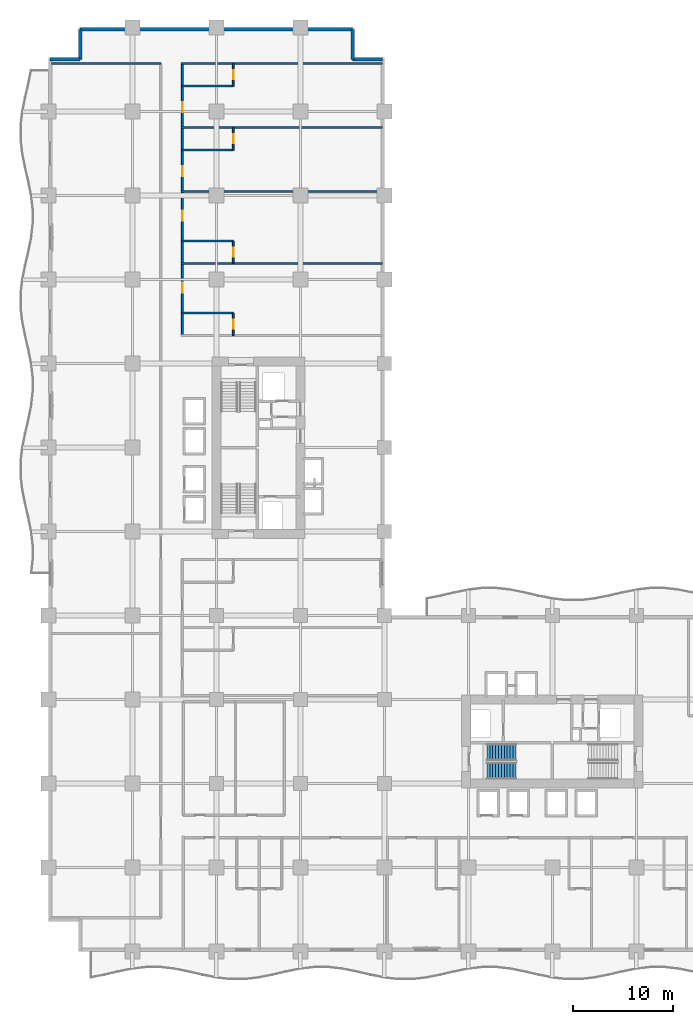
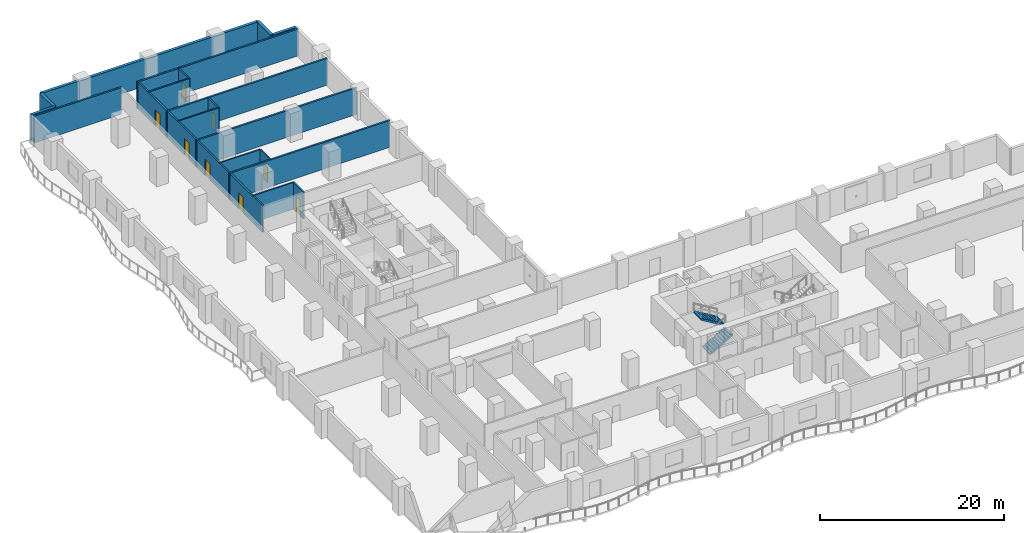
# One storey, part 12 of 20: 19 walls, 8 doors, 2 stair flights, 8 openings, 1 element without a shape of its own.
"""IFC4 building model written with IfcOpenShell, lengths in metres."""

from ifc_helpers import new_model, si_unit, direction, frame, frame_2d, origin, place, context, subcontext, project, spatial, polyline, rectangle, outline, extrude, material, layer, layer_set, type_object, element, fill, aggregate, save


model = new_model("IFC4")

# Units and contexts
model_context = context("Model", 3, precision=1e-05, world=origin(), true_north=direction((0.0, 1.0)))
body_context = subcontext(model_context, "Body", "Model", "MODEL_VIEW")
ifc_project = project(units=[si_unit("LENGTHUNIT", "METRE"), si_unit("AREAUNIT", "SQUARE_METRE"), si_unit("VOLUMEUNIT", "CUBIC_METRE"), si_unit("PLANEANGLEUNIT", "RADIAN"), si_unit("MASSUNIT", "GRAM", prefix="KILO")], contexts=[model_context])

# Site, building, storey
site_placement = place(None, origin())
site = spatial("IfcSite", under=ifc_project, at=site_placement, CompositionType="ELEMENT")
building_placement = place(site_placement, origin())
building = spatial("IfcBuilding", under=site, at=building_placement, Name="Koriwani Terraces Tower", CompositionType="ELEMENT")
storey_placement = place(building_placement, frame((0.0, 0.0, 58.60009765625)))
storey = spatial("IfcBuildingStorey", under=building, at=storey_placement, Name="L13", CompositionType="ELEMENT", Elevation=58.60009765625)

# Wall, openings, doors
ifc_material_1 = material(Name="Autoclaved Cellular Concrete Blockwork", Category="masonry")
ifc_layer_1 = layer(ifc_material_1, 0.199951171875, Name="Autoclaved Cellular Concrete Blockwork")
ifc_layer_set_1 = layer_set([ifc_layer_1], Name="Autoclaved Cellular Concrete Blockwork")
wall_type_1 = type_object("IfcWallType", Name="WALL_CORRIDOR_200", PredefinedType="PARTITIONING", material=ifc_layer_set_1)
wall_1_placement = place(storey_placement, frame((13.39990234375, 61.60009765625, 0.0), z_axis=(0.0, 0.0, 1.0), x_axis=(0.0, 1.0, 0.0)))
wall_1 = element("IfcWall", 1, at=wall_1_placement, inside=storey, type_object=wall_type_1, Name="L13 Interior Wall WCOR-L13-NE-0", PredefinedType="PARTITIONING", context=body_context, shape_type="SweptSolid", body=[
    extrude(rectangle(XDim=27.199951171875, YDim=0.199951171875, at=frame_2d((13.60009765625, 0.0))), origin(), (0.0, 0.0, 1.0), 3.5498046875),
])
opening_1_placement = place(wall_1_placement, frame((4.264892578125, 0.0, 0.0)))
opening_1 = element("IfcOpeningElement", 2, at=opening_1_placement, cuts=wall_1, Name="Opening D-05", PredefinedType="OPENING", context=body_context, shape_type="SweptSolid", body=[
    extrude(rectangle(XDim=1.0, YDim=2.14990234375, at=frame_2d((0.5, 1.074951171875))), frame((0.0, 0.10986328125, 0.0), z_axis=(0.0, -1.0, 0.0), x_axis=(1.0, 0.0, 0.0)), (0.0, 0.0, 1.0), 0.219970703125),
])
opening_2_placement = place(wall_1_placement, frame((11.465087890625, 0.0, 0.0)))
opening_2 = element("IfcOpeningElement", 3, at=opening_2_placement, cuts=wall_1, Name="Opening D-05", PredefinedType="OPENING", context=body_context, shape_type="SweptSolid", body=[
    extrude(rectangle(XDim=1.0, YDim=2.14990234375, at=frame_2d((0.5, 1.074951171875))), frame((0.0, 0.10986328125, 0.0), z_axis=(0.0, -1.0, 0.0), x_axis=(1.0, 0.0, 0.0)), (0.0, 0.0, 1.0), 0.219970703125),
])
opening_3_placement = place(wall_1_placement, frame((15.93505859375, 0.0, 0.0)))
opening_3 = element("IfcOpeningElement", 4, at=opening_3_placement, cuts=wall_1, Name="Opening D-05", PredefinedType="OPENING", context=body_context, shape_type="SweptSolid", body=[
    extrude(rectangle(XDim=1.0, YDim=2.14990234375, at=frame_2d((0.5, 1.074951171875))), frame((0.0, 0.10986328125, 0.0), z_axis=(0.0, -1.0, 0.0), x_axis=(1.0, 0.0, 0.0)), (0.0, 0.0, 1.0), 0.219970703125),
])
opening_4_placement = place(wall_1_placement, frame((22.3349609375, 0.0, 0.0)))
opening_4 = element("IfcOpeningElement", 5, at=opening_4_placement, cuts=wall_1, Name="Opening D-05", PredefinedType="OPENING", context=body_context, shape_type="SweptSolid", body=[
    extrude(rectangle(XDim=1.0, YDim=2.14990234375, at=frame_2d((0.5, 1.074951171875))), frame((0.0, 0.10986328125, 0.0), z_axis=(0.0, -1.0, 0.0), x_axis=(1.0, 0.0, 0.0)), (0.0, 0.0, 1.0), 0.219970703125),
])
ifc_material_2 = material(Name="Architectural Oak Fire Door", Category="wood")
door_type_1 = type_object("IfcDoorType", Name="DOOR_SUITE_ENTRY_1000X2150", OperationType="NOTDEFINED", PredefinedType="DOOR", material=ifc_material_2)
door_1_placement = place(opening_1_placement, origin())
door_1 = element("IfcDoor", 6, at=door_1_placement, inside=storey, type_object=door_type_1, Name="Luxury Hotel Suite 13NE1 Entrance Door", OperationType="SINGLE_SWING_LEFT", OverallHeight=2.14990234375, OverallWidth=1.0, PredefinedType="DOOR", context=body_context, shape_type="SweptSolid", body=[
    extrude(rectangle(XDim=1.0, YDim=2.14990234375, at=frame_2d((0.5, 1.074951171875))), frame((0.0, 0.02490234375, 0.0), z_axis=(0.0, -1.0, 0.0), x_axis=(1.0, 0.0, 0.0)), (0.0, 0.0, 1.0), 0.050048828125),
])
fill(opening_1, door_1)
door_2_placement = place(opening_2_placement, origin())
door_2 = element("IfcDoor", 7, at=door_2_placement, inside=storey, type_object=door_type_1, Name="Luxury Hotel Suite 13NE2 Entrance Door", OperationType="SINGLE_SWING_LEFT", OverallHeight=2.14990234375, OverallWidth=1.0, PredefinedType="DOOR", context=body_context, shape_type="SweptSolid", body=[
    extrude(rectangle(XDim=1.0, YDim=2.14990234375, at=frame_2d((0.5, 1.074951171875))), frame((0.0, 0.02490234375, 0.0), z_axis=(0.0, -1.0, 0.0), x_axis=(1.0, 0.0, 0.0)), (0.0, 0.0, 1.0), 0.050048828125),
])
fill(opening_2, door_2)
door_3_placement = place(opening_3_placement, origin())
door_3 = element("IfcDoor", 8, at=door_3_placement, inside=storey, type_object=door_type_1, Name="Luxury Hotel Suite 13NE3 Entrance Door", OperationType="SINGLE_SWING_LEFT", OverallHeight=2.14990234375, OverallWidth=1.0, PredefinedType="DOOR", context=body_context, shape_type="SweptSolid", body=[
    extrude(rectangle(XDim=1.0, YDim=2.14990234375, at=frame_2d((0.5, 1.074951171875))), frame((0.0, 0.02490234375, 0.0), z_axis=(0.0, -1.0, 0.0), x_axis=(1.0, 0.0, 0.0)), (0.0, 0.0, 1.0), 0.050048828125),
])
fill(opening_3, door_3)
door_4_placement = place(opening_4_placement, origin())
door_4 = element("IfcDoor", 9, at=door_4_placement, inside=storey, type_object=door_type_1, Name="Luxury Hotel Suite 13NE4 Entrance Door", OperationType="SINGLE_SWING_LEFT", OverallHeight=2.14990234375, OverallWidth=1.0, PredefinedType="DOOR", context=body_context, shape_type="SweptSolid", body=[
    extrude(rectangle(XDim=1.0, YDim=2.14990234375, at=frame_2d((0.5, 1.074951171875))), frame((0.0, 0.02490234375, 0.0), z_axis=(0.0, -1.0, 0.0), x_axis=(1.0, 0.0, 0.0)), (0.0, 0.0, 1.0), 0.050048828125),
])
fill(opening_4, door_4)

# Walls
ifc_layer_2 = layer(ifc_material_1, 0.219970703125, Name="Autoclaved Cellular Concrete Blockwork")
ifc_layer_set_2 = layer_set([ifc_layer_2], Name="Autoclaved Cellular Concrete Blockwork")
wall_type_2 = type_object("IfcWallType", Name="WALL_DEMISING_220", PredefinedType="PARTITIONING", material=ifc_layer_set_2)
wall_2_placement = place(storey_placement, frame((0.300048828125, 88.800048828125, 0.0), z_axis=(0.0, 0.0, 1.0), x_axis=(1.0, 0.0, 0.0)))
element("IfcWall", 10, at=wall_2_placement, inside=storey, type_object=wall_type_2, Name="L13 Interior Wall WZ1NWCLN-L13", PredefinedType="PARTITIONING", context=body_context, shape_type="SweptSolid", body=[
    extrude(rectangle(XDim=10.949951171875, YDim=0.219970703125, at=frame_2d((5.47509765625, 0.0))), origin(), (0.0, 0.0, 1.0), 3.5498046875),
])
for number, where, z_axis, x_axis, name in (
    (11, (13.25, 68.800048828125, 0.0), (0.0, 0.0, 1.0), (1.0, 0.0, 0.0), "L13 Interior Wall WDEM-L13-NE-1"),
    (12, (13.25, 76.0, 0.0), (0.0, 0.0, 1.0), (1.0, 0.0, 0.0), "L13 Interior Wall WDEM-L13-NE-2"),
    (13, (13.25, 82.39990234375, 0.0), (0.0, 0.0, 1.0), (1.0, 0.0, 0.0), "L13 Interior Wall WDEM-L13-NE-3"),
    (14, (13.25, 88.800048828125, 0.0), (0.0, 0.0, 1.0), (1.0, 0.0, 0.0), "L13 Interior Wall WDEME-L13-NE"),
):
    element("IfcWall", number, at=place(storey_placement, frame(where, z_axis=z_axis, x_axis=x_axis)), inside=storey, type_object=wall_type_2, Name=name, PredefinedType="PARTITIONING", context=body_context, shape_type="SweptSolid", body=[
        extrude(rectangle(XDim=20.179931640625, YDim=0.219970703125, at=frame_2d((10.08984375, 0.0))), origin(), (0.0, 0.0, 1.0), 3.5498046875),
    ])
ifc_material_3 = material(Name="Concrete C50/60", Category="concrete")
ifc_layer_3 = layer(ifc_material_3, 0.35009765625, Name="Concrete C50/60")
ifc_layer_set_3 = layer_set([ifc_layer_3], Name="Concrete C50/60")
wall_type_3 = type_object("IfcWallType", Name="WALL_EXT_BRUTALIST_350", PredefinedType="STANDARD", material=ifc_layer_set_3)
for number, where, z_axis, x_axis, name in (
    (15, (0.175048828125, 89.22509765625, 0.0), (0.0, 0.0, 1.0), (1.0, 0.0, 0.0), "L13 Fair-Faced Brutalist Exterior Wall (N3)"),
    (16, (3.175048828125, 89.22509765625, 0.0), (0.0, 0.0, 1.0), (0.0, 1.0, 0.0), "L13 Fair-Faced Brutalist Exterior Wall (N4)"),
):
    element("IfcWall", number, at=place(storey_placement, frame(where, z_axis=z_axis, x_axis=x_axis)), inside=storey, type_object=wall_type_3, Name=name, PredefinedType="STANDARD", context=body_context, shape_type="SweptSolid", body=[
        extrude(rectangle(XDim=3.0, YDim=0.35009765625, at=frame_2d((1.5, 0.0))), origin(), (0.0, 0.0, 1.0), 3.5498046875),
    ])
wall_3_placement = place(storey_placement, frame((3.175048828125, 92.22509765625, 0.0), z_axis=(0.0, 0.0, 1.0), x_axis=(1.0, 0.0, 0.0)))
element("IfcWall", 17, at=wall_3_placement, inside=storey, type_object=wall_type_3, Name="L13 Fair-Faced Brutalist Exterior Wall (N_TIP)", PredefinedType="STANDARD", context=body_context, shape_type="SweptSolid", body=[
    extrude(rectangle(XDim=27.25, YDim=0.35009765625, at=frame_2d((13.625, 0.0))), origin(), (0.0, 0.0, 1.0), 3.5498046875),
])
for number, where, z_axis, x_axis, name in (
    (18, (30.425048828125, 92.22509765625, 0.0), (0.0, 0.0, 1.0), (0.0, -1.0, 0.0), "L13 Fair-Faced Brutalist Exterior Wall (N6)"),
    (19, (30.425048828125, 89.22509765625, 0.0), (0.0, 0.0, 1.0), (1.0, 0.0, 0.0), "L13 Fair-Faced Brutalist Exterior Wall (N7)"),
):
    element("IfcWall", number, at=place(storey_placement, frame(where, z_axis=z_axis, x_axis=x_axis)), inside=storey, type_object=wall_type_3, Name=name, PredefinedType="STANDARD", context=body_context, shape_type="SweptSolid", body=[
        extrude(rectangle(XDim=3.0, YDim=0.35009765625, at=frame_2d((1.5, 0.0))), origin(), (0.0, 0.0, 1.0), 3.5498046875),
    ])

# Wall, opening, door
ifc_material_4 = material(Name="Fire-Rated Acoustic Gypsum Partition", Category="masonry")
ifc_layer_4 = layer(ifc_material_4, 0.179931640625, Name="Fire-Rated Acoustic Gypsum Partition")
ifc_layer_set_4 = layer_set([ifc_layer_4], Name="Fire-Rated Acoustic Gypsum Partition")
wall_type_4 = type_object("IfcWallType", Name="WALL_PLUMBING_180", PredefinedType="PLUMBINGWALL", material=ifc_layer_set_4)
wall_4_placement = place(storey_placement, frame((18.5, 61.60009765625, 0.0), z_axis=(0.0, 0.0, 1.0), x_axis=(0.0, 1.0, 0.0)))
wall_4 = element("IfcWall", 20, at=wall_4_placement, inside=storey, type_object=wall_type_4, Name="L13 Interior Wall WBTH1-L13-NE-0", PredefinedType="PLUMBINGWALL", context=body_context, shape_type="SweptSolid", body=[
    extrude(rectangle(XDim=2.25, YDim=0.179931640625, at=frame_2d((1.125, 0.0))), origin(), (0.0, 0.0, 1.0), 3.5498046875),
])
opening_5_placement = place(wall_4_placement, frame((0.675048828125, 0.0, 0.0)))
opening_5 = element("IfcOpeningElement", 21, at=opening_5_placement, cuts=wall_4, Name="Opening D-07", PredefinedType="OPENING", context=body_context, shape_type="SweptSolid", body=[
    extrude(rectangle(XDim=0.89990234375, YDim=2.10009765625, at=frame_2d((0.449951171875, 1.050048828125))), frame((0.0, 0.10009765625, 0.0), z_axis=(0.0, -1.0, 0.0), x_axis=(1.0, 0.0, 0.0)), (0.0, 0.0, 1.0), 0.199951171875),
])
door_type_2 = type_object("IfcDoorType", Name="DOOR_BATH_INT_900X2100", OperationType="NOTDEFINED", PredefinedType="DOOR", material=ifc_material_2)
door_5_placement = place(opening_5_placement, origin())
door_5 = element("IfcDoor", 22, at=door_5_placement, inside=storey, type_object=door_type_2, Name="En-Suite Bathroom 13NE1 Door", OperationType="SINGLE_SWING_RIGHT", OverallHeight=2.10009765625, OverallWidth=0.89990234375, PredefinedType="DOOR", context=body_context, shape_type="SweptSolid", body=[
    extrude(rectangle(XDim=0.89990234375, YDim=2.10009765625, at=frame_2d((0.449951171875, 1.050048828125))), frame((0.0, 0.02490234375, 0.0), z_axis=(0.0, -1.0, 0.0), x_axis=(1.0, 0.0, 0.0)), (0.0, 0.0, 1.0), 0.050048828125),
])
fill(opening_5, door_5)

# Wall
wall_5_placement = place(storey_placement, frame((13.39990234375, 63.85009765625, 0.0), z_axis=(0.0, 0.0, 1.0), x_axis=(1.0, 0.0, 0.0)))
element("IfcWall", 23, at=wall_5_placement, inside=storey, type_object=wall_type_4, Name="L13 Interior Wall WBTH2-L13-NE-0", PredefinedType="PLUMBINGWALL", context=body_context, shape_type="SweptSolid", body=[
    extrude(rectangle(XDim=5.10009765625, YDim=0.179931640625, at=frame_2d((2.550048828125, 0.0))), origin(), (0.0, 0.0, 1.0), 3.5498046875),
])

# Wall, opening, door
wall_6_placement = place(storey_placement, frame((18.5, 68.800048828125, 0.0), z_axis=(0.0, 0.0, 1.0), x_axis=(0.0, 1.0, 0.0)))
wall_6 = element("IfcWall", 24, at=wall_6_placement, inside=storey, type_object=wall_type_4, Name="L13 Interior Wall WBTH1-L13-NE-1", PredefinedType="PLUMBINGWALL", context=body_context, shape_type="SweptSolid", body=[
    extrude(rectangle(XDim=2.25, YDim=0.179931640625, at=frame_2d((1.125, 0.0))), origin(), (0.0, 0.0, 1.0), 3.5498046875),
])
opening_6_placement = place(wall_6_placement, frame((0.675048828125, 0.0, 0.0)))
opening_6 = element("IfcOpeningElement", 25, at=opening_6_placement, cuts=wall_6, Name="Opening D-07", PredefinedType="OPENING", context=body_context, shape_type="SweptSolid", body=[
    extrude(rectangle(XDim=0.89990234375, YDim=2.10009765625, at=frame_2d((0.449951171875, 1.050048828125))), frame((0.0, 0.10009765625, 0.0), z_axis=(0.0, -1.0, 0.0), x_axis=(1.0, 0.0, 0.0)), (0.0, 0.0, 1.0), 0.199951171875),
])
door_6_placement = place(opening_6_placement, origin())
door_6 = element("IfcDoor", 26, at=door_6_placement, inside=storey, type_object=door_type_2, Name="En-Suite Bathroom 13NE2 Door", OperationType="SINGLE_SWING_RIGHT", OverallHeight=2.10009765625, OverallWidth=0.89990234375, PredefinedType="DOOR", context=body_context, shape_type="SweptSolid", body=[
    extrude(rectangle(XDim=0.89990234375, YDim=2.10009765625, at=frame_2d((0.449951171875, 1.050048828125))), frame((0.0, 0.02490234375, 0.0), z_axis=(0.0, -1.0, 0.0), x_axis=(1.0, 0.0, 0.0)), (0.0, 0.0, 1.0), 0.050048828125),
])
fill(opening_6, door_6)

# Wall
wall_7_placement = place(storey_placement, frame((13.39990234375, 71.050048828125, 0.0), z_axis=(0.0, 0.0, 1.0), x_axis=(1.0, 0.0, 0.0)))
element("IfcWall", 27, at=wall_7_placement, inside=storey, type_object=wall_type_4, Name="L13 Interior Wall WBTH2-L13-NE-1", PredefinedType="PLUMBINGWALL", context=body_context, shape_type="SweptSolid", body=[
    extrude(rectangle(XDim=5.10009765625, YDim=0.179931640625, at=frame_2d((2.550048828125, 0.0))), origin(), (0.0, 0.0, 1.0), 3.5498046875),
])

# Wall, opening, door
wall_8_placement = place(storey_placement, frame((18.5, 80.14990234375, 0.0), z_axis=(0.0, 0.0, 1.0), x_axis=(0.0, 1.0, 0.0)))
wall_8 = element("IfcWall", 28, at=wall_8_placement, inside=storey, type_object=wall_type_4, Name="L13 Interior Wall WBTH1-L13-NE-2", PredefinedType="PLUMBINGWALL", context=body_context, shape_type="SweptSolid", body=[
    extrude(rectangle(XDim=2.25, YDim=0.179931640625, at=frame_2d((1.125, 0.0))), origin(), (0.0, 0.0, 1.0), 3.5498046875),
])
opening_7_placement = place(wall_8_placement, frame((0.675048828125, 0.0, 0.0)))
opening_7 = element("IfcOpeningElement", 29, at=opening_7_placement, cuts=wall_8, Name="Opening D-07", PredefinedType="OPENING", context=body_context, shape_type="SweptSolid", body=[
    extrude(rectangle(XDim=0.89990234375, YDim=2.10009765625, at=frame_2d((0.449951171875, 1.050048828125))), frame((0.0, 0.10009765625, 0.0), z_axis=(0.0, -1.0, 0.0), x_axis=(1.0, 0.0, 0.0)), (0.0, 0.0, 1.0), 0.199951171875),
])
door_7_placement = place(opening_7_placement, origin())
door_7 = element("IfcDoor", 30, at=door_7_placement, inside=storey, type_object=door_type_2, Name="En-Suite Bathroom 13NE3 Door", OperationType="SINGLE_SWING_RIGHT", OverallHeight=2.10009765625, OverallWidth=0.89990234375, PredefinedType="DOOR", context=body_context, shape_type="SweptSolid", body=[
    extrude(rectangle(XDim=0.89990234375, YDim=2.10009765625, at=frame_2d((0.449951171875, 1.050048828125))), frame((0.0, 0.02490234375, 0.0), z_axis=(0.0, -1.0, 0.0), x_axis=(1.0, 0.0, 0.0)), (0.0, 0.0, 1.0), 0.050048828125),
])
fill(opening_7, door_7)

# Wall
wall_9_placement = place(storey_placement, frame((13.39990234375, 80.14990234375, 0.0), z_axis=(0.0, 0.0, 1.0), x_axis=(1.0, 0.0, 0.0)))
element("IfcWall", 31, at=wall_9_placement, inside=storey, type_object=wall_type_4, Name="L13 Interior Wall WBTH2-L13-NE-2", PredefinedType="PLUMBINGWALL", context=body_context, shape_type="SweptSolid", body=[
    extrude(rectangle(XDim=5.10009765625, YDim=0.179931640625, at=frame_2d((2.550048828125, 0.0))), origin(), (0.0, 0.0, 1.0), 3.5498046875),
])

# Wall, opening, door
wall_10_placement = place(storey_placement, frame((18.5, 86.550048828125, 0.0), z_axis=(0.0, 0.0, 1.0), x_axis=(0.0, 1.0, 0.0)))
wall_10 = element("IfcWall", 32, at=wall_10_placement, inside=storey, type_object=wall_type_4, Name="L13 Interior Wall WBTH1-L13-NE-3", PredefinedType="PLUMBINGWALL", context=body_context, shape_type="SweptSolid", body=[
    extrude(rectangle(XDim=2.25, YDim=0.179931640625, at=frame_2d((1.125, 0.0))), origin(), (0.0, 0.0, 1.0), 3.5498046875),
])
opening_8_placement = place(wall_10_placement, frame((0.675048828125, 0.0, 0.0)))
opening_8 = element("IfcOpeningElement", 33, at=opening_8_placement, cuts=wall_10, Name="Opening D-07", PredefinedType="OPENING", context=body_context, shape_type="SweptSolid", body=[
    extrude(rectangle(XDim=0.89990234375, YDim=2.10009765625, at=frame_2d((0.449951171875, 1.050048828125))), frame((0.0, 0.10009765625, 0.0), z_axis=(0.0, -1.0, 0.0), x_axis=(1.0, 0.0, 0.0)), (0.0, 0.0, 1.0), 0.199951171875),
])
door_8_placement = place(opening_8_placement, origin())
door_8 = element("IfcDoor", 34, at=door_8_placement, inside=storey, type_object=door_type_2, Name="En-Suite Bathroom 13NE4 Door", OperationType="SINGLE_SWING_RIGHT", OverallHeight=2.10009765625, OverallWidth=0.89990234375, PredefinedType="DOOR", context=body_context, shape_type="SweptSolid", body=[
    extrude(rectangle(XDim=0.89990234375, YDim=2.10009765625, at=frame_2d((0.449951171875, 1.050048828125))), frame((0.0, 0.02490234375, 0.0), z_axis=(0.0, -1.0, 0.0), x_axis=(1.0, 0.0, 0.0)), (0.0, 0.0, 1.0), 0.050048828125),
])
fill(opening_8, door_8)

# Wall
wall_11_placement = place(storey_placement, frame((13.39990234375, 86.550048828125, 0.0), z_axis=(0.0, 0.0, 1.0), x_axis=(1.0, 0.0, 0.0)))
element("IfcWall", 35, at=wall_11_placement, inside=storey, type_object=wall_type_4, Name="L13 Interior Wall WBTH2-L13-NE-3", PredefinedType="PLUMBINGWALL", context=body_context, shape_type="SweptSolid", body=[
    extrude(rectangle(XDim=5.10009765625, YDim=0.179931640625, at=frame_2d((2.550048828125, 0.0))), origin(), (0.0, 0.0, 1.0), 3.5498046875),
])

# Stair, stair flights
ifc_material_5 = material(Name="Concrete C40/50", Category="concrete")
stair_type = type_object("IfcStairType", Name="STAIR_CORE_DOGLEG_1650", PredefinedType="TWO_STRAIGHT_RUN_STAIR", material=ifc_material_5)
stair_placement = place(storey_placement, origin())
stair = element("IfcStair", 36, at=stair_placement, inside=storey, type_object=stair_type, Name="L13 East Core Exit Stair 1", PredefinedType="HALF_TURN_STAIR")
stair_flight_type = type_object("IfcStairFlightType", Name="STAIR_FLIGHT_RC_1650", PredefinedType="STRAIGHT", material=ifc_material_5)
stair_flight_1_placement = place(storey_placement, frame((43.85009765625, 18.074951171875, 0.0), z_axis=(0.0, 0.0, 1.0), x_axis=(1.0, 0.0, 0.0)))
stair_flight_1 = element("IfcStairFlight", 37, at=stair_flight_1_placement, type_object=stair_flight_type, Name="ST-E1 flight 1", NumberOfRisers=11, NumberOfTreads=10, PredefinedType="STRAIGHT", RiserHeight=0.172727273, TreadLength=0.29, context=body_context, shape_type="SweptSolid", body=[
    extrude(outline(polyline([(0.0, 0.0), (0.0, 0.172607421875), (0.2900390625, 0.172607421875), (0.2900390625, 0.345458984375), (0.580078125, 0.345458984375), (0.580078125, 0.51806640625), (0.8701171875, 0.51806640625), (0.8701171875, 0.69091796875), (1.159912109375, 0.69091796875), (1.159912109375, 0.863525390625), (1.449951171875, 0.863525390625), (1.449951171875, 1.036376953125), (1.739990234375, 1.036376953125), (1.739990234375, 1.208984375), (2.030029296875, 1.208984375), (2.030029296875, 1.3818359375), (2.320068359375, 1.3818359375), (2.320068359375, 1.554443359375), (2.610107421875, 1.554443359375), (2.610107421875, 1.727294921875), (2.89990234375, 1.727294921875), (2.89990234375, 1.89990234375), (2.89990234375, 1.517822265625), (0.3515625, 0.0), (0.0, 0.0)])), frame((0.0, 0.824951171875, 0.0), z_axis=(0.0, -1.0, 0.0), x_axis=(1.0, 0.0, 0.0)), (0.0, 0.0, 1.0), 1.64990234375),
])
stair_flight_2_placement = place(storey_placement, frame((46.75, 19.925048828125, 1.89990234375), z_axis=(0.0, 0.0, 1.0), x_axis=(-1.0, 0.0, 0.0)))
stair_flight_2 = element("IfcStairFlight", 38, at=stair_flight_2_placement, type_object=stair_flight_type, Name="ST-E1 flight 2", NumberOfRisers=11, NumberOfTreads=10, PredefinedType="STRAIGHT", RiserHeight=0.172727273, TreadLength=0.29, context=body_context, shape_type="SweptSolid", body=[
    extrude(outline(polyline([(0.0, 0.0), (0.0, 0.172607421875), (0.2900390625, 0.172607421875), (0.2900390625, 0.345458984375), (0.580078125, 0.345458984375), (0.580078125, 0.51806640625), (0.8701171875, 0.51806640625), (0.8701171875, 0.69091796875), (1.159912109375, 0.69091796875), (1.159912109375, 0.863525390625), (1.449951171875, 0.863525390625), (1.449951171875, 1.036376953125), (1.739990234375, 1.036376953125), (1.739990234375, 1.208984375), (2.030029296875, 1.208984375), (2.030029296875, 1.3818359375), (2.320068359375, 1.3818359375), (2.320068359375, 1.554443359375), (2.610107421875, 1.554443359375), (2.610107421875, 1.727294921875), (2.89990234375, 1.727294921875), (2.89990234375, 1.89990234375), (2.89990234375, 1.517822265625), (0.3515625, 0.0), (0.0, 0.0)])), frame((0.0, 0.824951171875, 0.0), z_axis=(0.0, -1.0, 0.0), x_axis=(1.0, 0.0, 0.0)), (0.0, 0.0, 1.0), 1.64990234375),
])
aggregate(stair, [stair_flight_1, stair_flight_2])

save(model, "model.ifc")
